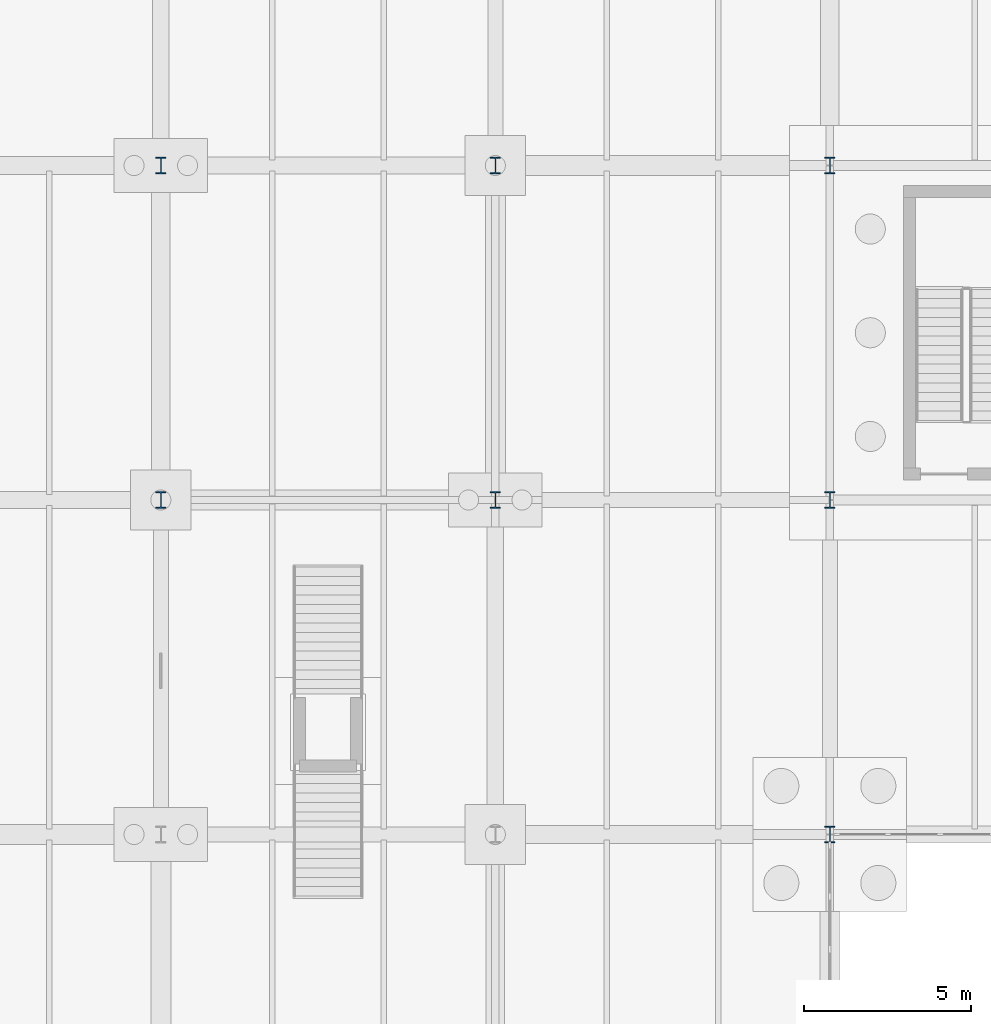
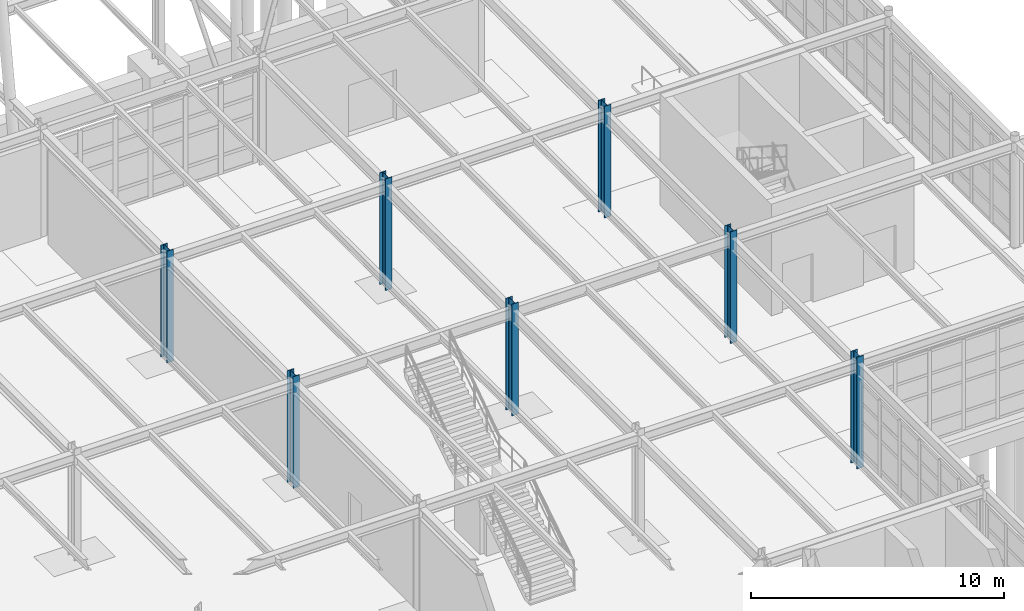
# One storey, part 23 of 145: 7 columns.
"""IFC4 building model written with IfcOpenShell, lengths in metres."""

from ifc_helpers import new_model, si_unit, direction, frame, origin, origin_2d, place, context, subcontext, project, spatial, i_section, extrude, material, material_profile, profile_set, type_object, element, save


model = new_model("IFC4")

# Units and contexts
model_context = context("Model", 3, precision=1e-05, world=origin(), true_north=direction((0.0, 1.0)))
body_context = subcontext(model_context, "Body", "Model", "MODEL_VIEW")
ifc_project = project(units=[si_unit("LENGTHUNIT", "METRE"), si_unit("AREAUNIT", "SQUARE_METRE"), si_unit("VOLUMEUNIT", "CUBIC_METRE"), si_unit("PLANEANGLEUNIT", "RADIAN"), si_unit("MASSUNIT", "GRAM", prefix="KILO"), si_unit("THERMODYNAMICTEMPERATUREUNIT", "KELVIN"), si_unit("POWERUNIT", "WATT")], contexts=[model_context])

# Site, building, storey
site_placement = place(None, origin())
site = spatial("IfcSite", under=ifc_project, at=site_placement, CompositionType="ELEMENT")
building_placement = place(site_placement, origin())
building = spatial("IfcBuilding", under=site, at=building_placement, Name="Korenveer Ferry Terminal", CompositionType="ELEMENT")
storey_placement = place(building_placement, origin())
storey = spatial("IfcBuildingStorey", under=building, at=storey_placement, Name="L00", CompositionType="ELEMENT", Elevation=0.0)

# Columns
ifc_material = material(Name="Steel S355", Category="steel")
ifc_material_profile = material_profile(ifc_material, i_section(OverallWidth=0.300048828125, OverallDepth=0.5, WebThickness=0.014404296875, FlangeThickness=0.028076171875, FilletRadius=0.027099609375, at=origin_2d()), Name="HEB 500")
ifc_profile_set = profile_set([ifc_material_profile], Name="Steel S355")
column_type = type_object("IfcColumnType", Name="STR-COL-HEB500", PredefinedType="COLUMN", material=ifc_profile_set)
for number, where, z_axis, x_axis, name in (
    (1, (103.0, 80.0, 0.0), (0.0, 0.0, 1.0), (1.0, 0.0, 0.0), "Column COL-L00-X103-Y80"),
    (2, (103.0, 90.0, 0.0), (0.0, 0.0, 1.0), (1.0, 0.0, 0.0), "Column COL-L00-X103-Y90"),
    (3, (113.0, 80.0, 0.0), (0.0, 0.0, 1.0), (1.0, 0.0, 0.0), "Column COL-L00-X113-Y80"),
    (4, (113.0, 90.0, 0.0), (0.0, 0.0, 1.0), (1.0, 0.0, 0.0), "Column COL-L00-X113-Y90"),
    (5, (123.0, 70.0, 0.0), (0.0, 0.0, 1.0), (1.0, 0.0, 0.0), "Column COL-L00-X123-Y70"),
    (6, (123.0, 80.0, 0.0), (0.0, 0.0, 1.0), (1.0, 0.0, 0.0), "Column COL-L00-X123-Y80"),
    (7, (123.0, 90.0, 0.0), (0.0, 0.0, 1.0), (1.0, 0.0, 0.0), "Column COL-L00-X123-Y90"),
):
    element("IfcColumn", number, at=place(storey_placement, frame(where, z_axis=z_axis, x_axis=x_axis)), inside=storey, type_object=column_type, Name=name, PredefinedType="COLUMN", context=body_context, shape_type="SweptSolid", body=[
        extrude(i_section(OverallWidth=0.300048828125, OverallDepth=0.5, WebThickness=0.014404296875, FlangeThickness=0.028076171875, FilletRadius=0.027099609375, at=origin_2d()), origin(), (0.0, 0.0, 1.0), 5.39990234375),
    ])

save(model, "model.ifc")
